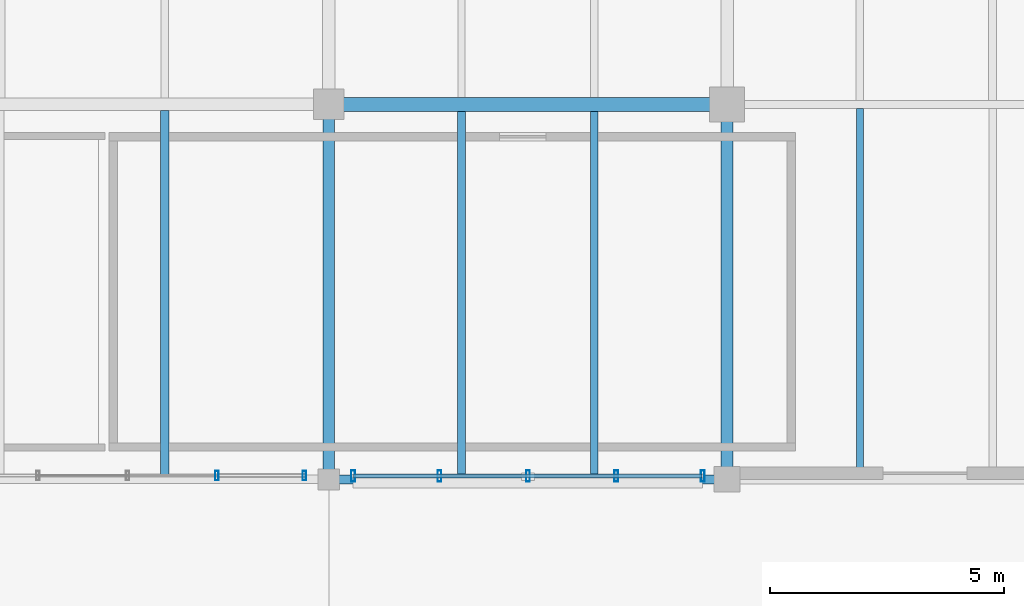
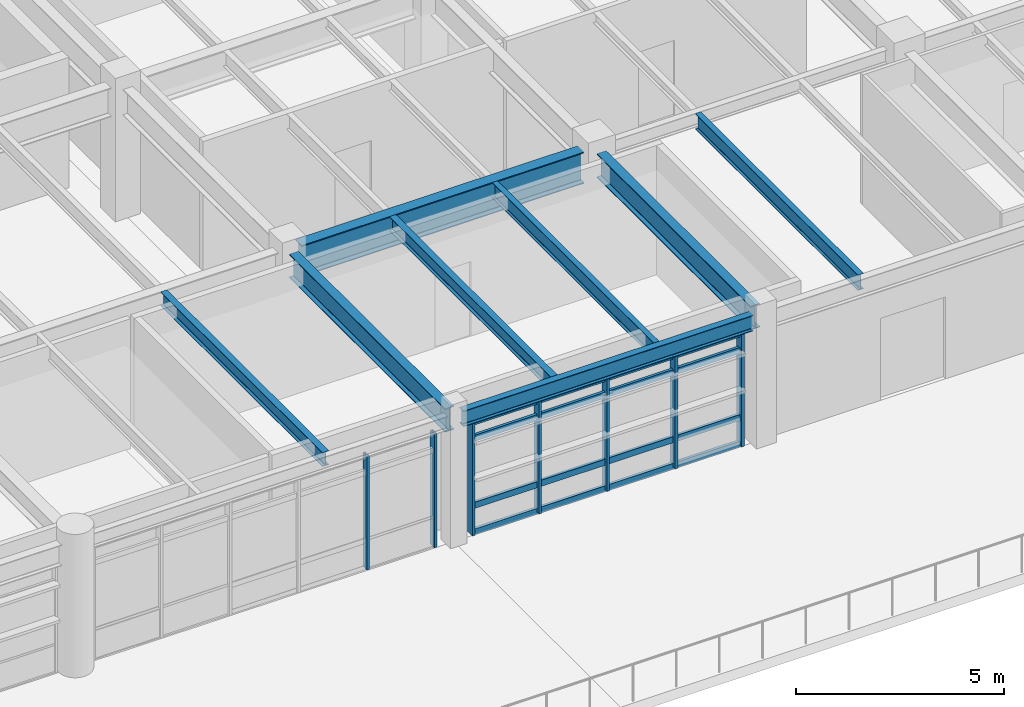
# One storey, part 32 of 56: 11 members, 8 beams, 2 elements without a shape of their own.
"""IFC4 building model written with IfcOpenShell, lengths in metres."""

from ifc_helpers import new_model, si_unit, direction, frame, origin, origin_2d, place, context, subcontext, project, spatial, hollow_rectangle, i_section, extrude, material, material_profile, profile_set, type_object, element, aggregate, save


model = new_model("IFC4")

# Units and contexts
model_context = context("Model", 3, precision=1e-05, world=origin(), true_north=direction((0.0, 1.0)))
body_context = subcontext(model_context, "Body", "Model", "MODEL_VIEW")
ifc_project = project(units=[si_unit("LENGTHUNIT", "METRE"), si_unit("AREAUNIT", "SQUARE_METRE"), si_unit("VOLUMEUNIT", "CUBIC_METRE"), si_unit("PLANEANGLEUNIT", "RADIAN"), si_unit("MASSUNIT", "GRAM", prefix="KILO"), si_unit("THERMODYNAMICTEMPERATUREUNIT", "KELVIN"), si_unit("POWERUNIT", "WATT")], contexts=[model_context])

# Site, building, storey
site_placement = place(None, origin())
site = spatial("IfcSite", under=ifc_project, at=site_placement, CompositionType="ELEMENT")
building_placement = place(site_placement, origin())
building = spatial("IfcBuilding", under=site, at=building_placement, Name="Tepalcoro Natatorium and Aquatics Centre", CompositionType="ELEMENT")
storey_placement = place(building_placement, frame((0.0, 0.0, 14.800048828125)))
storey = spatial("IfcBuildingStorey", under=building, at=storey_placement, Name="L03", CompositionType="ELEMENT", Elevation=14.800048828125)

# Beams
ifc_material_1 = material(Name="Steel ASTM A992 Grade 50 (Fy 345 MPa)", Category="steel")
ifc_material_profile_1 = material_profile(ifc_material_1, i_section(OverallWidth=0.25390625, OverallDepth=0.68798828125, WebThickness=0.012939453125, FlangeThickness=0.02099609375, FilletRadius=0.013916015625, at=origin_2d()), Name="W27X102")
ifc_profile_set_1 = profile_set([ifc_material_profile_1], Name="Steel ASTM A992 Grade 50 (Fy 345 MPa)")
beam_type_1 = type_object("IfcBeamType", Name="BM_W27x102", PredefinedType="BEAM", material=ifc_profile_set_1)
beam_1_placement = place(storey_placement, frame((142.0, 94.2099609375, 3.4609375), z_axis=(0.0, 1.0, 0.0), x_axis=(-1.0, 0.0, 0.0)))
element("IfcBeam", 1, at=beam_1_placement, inside=storey, type_object=beam_type_1, Name="V5 L03 Grid Girder Y", PredefinedType="BEAM", context=body_context, shape_type="SweptSolid", body=[
    extrude(i_section(OverallWidth=0.25390625, OverallDepth=0.68798828125, WebThickness=0.012939453125, FlangeThickness=0.02099609375, FilletRadius=0.013916015625, at=origin_2d()), origin(), (0.0, 0.0, 1.0), 7.47998046875),
])
ifc_material_profile_2 = material_profile(ifc_material_1, i_section(OverallWidth=0.25390625, OverallDepth=0.700927734375, WebThickness=0.014892578125, FlangeThickness=0.028076171875, FilletRadius=0.013916015625, at=origin_2d()), Name="W27X129")
ifc_profile_set_2 = profile_set([ifc_material_profile_2], Name="Steel ASTM A992 Grade 50 (Fy 345 MPa)")
beam_type_2 = type_object("IfcBeamType", Name="BM_W27x129", PredefinedType="BEAM", material=ifc_profile_set_2)
beam_2_placement = place(storey_placement, frame((150.5, 94.260009765625, 3.454345703125), z_axis=(0.0, 1.0, 0.0), x_axis=(-1.0, 0.0, 0.0)))
element("IfcBeam", 2, at=beam_2_placement, inside=storey, type_object=beam_type_2, Name="V5 L03 Grid Girder Y", PredefinedType="BEAM", context=body_context, shape_type="SweptSolid", body=[
    extrude(i_section(OverallWidth=0.25390625, OverallDepth=0.700927734375, WebThickness=0.014892578125, FlangeThickness=0.028076171875, FilletRadius=0.013916015625, at=origin_2d()), origin(), (0.0, 0.0, 1.0), 7.3798828125),
])
ifc_material_profile_3 = material_profile(ifc_material_1, i_section(OverallWidth=0.304931640625, OverallDepth=0.9189453125, WebThickness=0.01708984375, FlangeThickness=0.028076171875, FilletRadius=0.013916015625, at=origin_2d()), Name="W36X170")
ifc_profile_set_3 = profile_set([ifc_material_profile_3], Name="Steel ASTM A992 Grade 50 (Fy 345 MPa)")
beam_type_3 = type_object("IfcBeamType", Name="BM_W36x170", PredefinedType="BEAM", material=ifc_profile_set_3)
beam_3_placement = place(storey_placement, frame((142.31005859375, 102.0, 3.345458984375), z_axis=(1.0, 0.0, 0.0), x_axis=(0.0, 1.0, 0.0)))
element("IfcBeam", 3, at=beam_3_placement, inside=storey, type_object=beam_type_3, Name="V5 L03 Grid Girder X", PredefinedType="BEAM", context=body_context, shape_type="SweptSolid", body=[
    extrude(i_section(OverallWidth=0.304931640625, OverallDepth=0.9189453125, WebThickness=0.01708984375, FlangeThickness=0.028076171875, FilletRadius=0.013916015625, at=origin_2d()), origin(), (0.0, 0.0, 1.0), 7.829833984375),
])

# Curtain wall, members
ifc_material_2 = material(Name="Bronze-Anodised Extruded Aluminium Alloy EN AW-6063 T6", Category="aluminium")
curtain_wall_type_1 = type_object("IfcCurtainWallType", Name="CW_V5_LOWER", PredefinedType="USERDEFINED", material=ifc_material_2)
curtain_wall_1_placement = place(storey_placement, origin())
curtain_wall_1 = element("IfcCurtainWall", 4, at=curtain_wall_1_placement, inside=storey, type_object=curtain_wall_type_1, Name="V5 L03 S Unitised Curtain Wall Bay 4", ObjectType="UNITISED STOREFRONT", PredefinedType="USERDEFINED")
ifc_material_profile_4 = material_profile(ifc_material_2, hollow_rectangle(XDim=0.070068359375, YDim=0.199951171875, WallThickness=0.0048828125, at=origin_2d()), Name="AL70X200X5")
ifc_profile_set_4 = profile_set([ifc_material_profile_4], Name="Bronze-Anodised Extruded Aluminium Alloy EN AW-6063 T6")
member_type_1 = type_object("IfcMemberType", Name="CW_MUL_70x200", PredefinedType="MULLION", material=ifc_profile_set_4)
member_1_placement = place(storey_placement, frame((139.612060546875, 94.080078125, 0.02001953125), z_axis=(0.0, 0.0, 1.0), x_axis=(1.0, 0.0, 0.0)))
member_1 = element("IfcMember", 5, at=member_1_placement, type_object=member_type_1, Name="CW_V5_LOWER Curtain Wall Mullion", PredefinedType="MULLION", context=body_context, shape_type="SweptSolid", body=[
    extrude(hollow_rectangle(XDim=0.070068359375, YDim=0.199951171875, WallThickness=0.0048828125, at=origin_2d()), origin(), (0.0, 0.0, 1.0), 3.3369140625),
])
member_2_placement = place(storey_placement, frame((141.47998046875, 94.080078125, 0.02001953125), z_axis=(0.0, 0.0, 1.0), x_axis=(1.0, 0.0, 0.0)))
member_2 = element("IfcMember", 6, at=member_2_placement, type_object=member_type_1, Name="CW_V5_LOWER Curtain Wall Mullion", PredefinedType="MULLION", context=body_context, shape_type="SweptSolid", body=[
    extrude(hollow_rectangle(XDim=0.070068359375, YDim=0.199951171875, WallThickness=0.0048828125, at=origin_2d()), origin(), (0.0, 0.0, 1.0), 3.3369140625),
])
aggregate(curtain_wall_1, [member_1, member_2])

curtain_wall_type_2 = type_object("IfcCurtainWallType", Name="CW_V5_UPPER", PredefinedType="USERDEFINED", material=ifc_material_2)
curtain_wall_2_placement = place(storey_placement, origin())
curtain_wall_2 = element("IfcCurtainWall", 7, at=curtain_wall_2_placement, inside=storey, type_object=curtain_wall_type_2, Name="V5 L03 S Unitised Curtain Wall Bay 5", ObjectType="FACETED SOLAR GLAZING", PredefinedType="USERDEFINED")
ifc_material_profile_5 = material_profile(ifc_material_2, hollow_rectangle(XDim=0.080078125, YDim=0.239990234375, WallThickness=0.0048828125, at=origin_2d()), Name="AL80X240X5")
ifc_profile_set_5 = profile_set([ifc_material_profile_5], Name="Bronze-Anodised Extruded Aluminium Alloy EN AW-6063 T6")
member_type_2 = type_object("IfcMemberType", Name="CW_MUL_80x240", PredefinedType="MULLION", material=ifc_profile_set_5)
member_3_placement = place(storey_placement, frame((142.52001953125, 94.0712890625, 0.02001953125), z_axis=(0.0, 0.0, 1.0), x_axis=(1.0, 0.0, 0.0)))
member_3 = element("IfcMember", 8, at=member_3_placement, type_object=member_type_2, Name="CW_V5_UPPER Curtain Wall Mullion", PredefinedType="MULLION", context=body_context, shape_type="SweptSolid", body=[
    extrude(hollow_rectangle(XDim=0.080078125, YDim=0.239990234375, WallThickness=0.0048828125, at=origin_2d()), origin(), (0.0, 0.0, 1.0), 3.2900390625),
])
member_4_placement = place(storey_placement, frame((144.364990234375, 94.0712890625, 0.02001953125), z_axis=(0.0, 0.0, 1.0), x_axis=(1.0, 0.0, 0.0)))
member_4 = element("IfcMember", 9, at=member_4_placement, type_object=member_type_2, Name="CW_V5_UPPER Curtain Wall Mullion", PredefinedType="MULLION", context=body_context, shape_type="SweptSolid", body=[
    extrude(hollow_rectangle(XDim=0.080078125, YDim=0.239990234375, WallThickness=0.0048828125, at=origin_2d()), origin(), (0.0, 0.0, 1.0), 3.2900390625),
])
member_5_placement = place(storey_placement, frame((146.25, 94.0712890625, 0.02001953125), z_axis=(0.0, 0.0, 1.0), x_axis=(1.0, 0.0, 0.0)))
member_5 = element("IfcMember", 10, at=member_5_placement, type_object=member_type_2, Name="CW_V5_UPPER Curtain Wall Mullion", PredefinedType="MULLION", context=body_context, shape_type="SweptSolid", body=[
    extrude(hollow_rectangle(XDim=0.080078125, YDim=0.239990234375, WallThickness=0.0048828125, at=origin_2d()), origin(), (0.0, 0.0, 1.0), 3.2900390625),
])
member_6_placement = place(storey_placement, frame((148.135009765625, 94.0712890625, 0.02001953125), z_axis=(0.0, 0.0, 1.0), x_axis=(1.0, 0.0, 0.0)))
member_6 = element("IfcMember", 11, at=member_6_placement, type_object=member_type_2, Name="CW_V5_UPPER Curtain Wall Mullion", PredefinedType="MULLION", context=body_context, shape_type="SweptSolid", body=[
    extrude(hollow_rectangle(XDim=0.080078125, YDim=0.239990234375, WallThickness=0.0048828125, at=origin_2d()), origin(), (0.0, 0.0, 1.0), 3.2900390625),
])
member_7_placement = place(storey_placement, frame((149.97998046875, 94.0712890625, 0.02001953125), z_axis=(0.0, 0.0, 1.0), x_axis=(1.0, 0.0, 0.0)))
member_7 = element("IfcMember", 12, at=member_7_placement, type_object=member_type_2, Name="CW_V5_UPPER Curtain Wall Mullion", PredefinedType="MULLION", context=body_context, shape_type="SweptSolid", body=[
    extrude(hollow_rectangle(XDim=0.080078125, YDim=0.239990234375, WallThickness=0.0048828125, at=origin_2d()), origin(), (0.0, 0.0, 1.0), 3.2900390625),
])
ifc_material_profile_6 = material_profile(ifc_material_2, hollow_rectangle(XDim=0.080078125, YDim=0.179931640625, WallThickness=0.0048828125, at=origin_2d()), Name="AL80X180X5")
ifc_profile_set_6 = profile_set([ifc_material_profile_6], Name="Bronze-Anodised Extruded Aluminium Alloy EN AW-6063 T6")
member_type_3 = type_object("IfcMemberType", Name="CW_TRN_80x180", PredefinedType="USERDEFINED", material=ifc_profile_set_6)
member_8_placement = place(storey_placement, frame((142.530029296875, 94.0712890625, 0.050048828125), z_axis=(1.0, 0.0, 0.0), x_axis=(0.0, 1.0, 0.0)))
member_8 = element("IfcMember", 13, at=member_8_placement, type_object=member_type_3, Name="CW_V5_UPPER Curtain Wall Transom", ObjectType="TRANSOM", PredefinedType="USERDEFINED", context=body_context, shape_type="SweptSolid", body=[
    extrude(hollow_rectangle(XDim=0.080078125, YDim=0.179931640625, WallThickness=0.0048828125, at=origin_2d()), origin(), (0.0, 0.0, 1.0), 7.43994140625),
])
member_9_placement = place(storey_placement, frame((142.530029296875, 94.0712890625, 0.83251953125), z_axis=(1.0, 0.0, 0.0), x_axis=(0.0, 1.0, 0.0)))
member_9 = element("IfcMember", 14, at=member_9_placement, type_object=member_type_3, Name="CW_V5_UPPER Curtain Wall Transom", ObjectType="TRANSOM", PredefinedType="USERDEFINED", context=body_context, shape_type="SweptSolid", body=[
    extrude(hollow_rectangle(XDim=0.080078125, YDim=0.179931640625, WallThickness=0.0048828125, at=origin_2d()), origin(), (0.0, 0.0, 1.0), 7.43994140625),
])
member_10_placement = place(storey_placement, frame((142.530029296875, 94.0712890625, 2.797119140625), z_axis=(1.0, 0.0, 0.0), x_axis=(0.0, 1.0, 0.0)))
member_10 = element("IfcMember", 15, at=member_10_placement, type_object=member_type_3, Name="CW_V5_UPPER Curtain Wall Transom", ObjectType="TRANSOM", PredefinedType="USERDEFINED", context=body_context, shape_type="SweptSolid", body=[
    extrude(hollow_rectangle(XDim=0.080078125, YDim=0.179931640625, WallThickness=0.0048828125, at=origin_2d()), origin(), (0.0, 0.0, 1.0), 7.43994140625),
])
member_11_placement = place(storey_placement, frame((142.530029296875, 94.0712890625, 3.280029296875), z_axis=(1.0, 0.0, 0.0), x_axis=(0.0, 1.0, 0.0)))
member_11 = element("IfcMember", 16, at=member_11_placement, type_object=member_type_3, Name="CW_V5_UPPER Curtain Wall Transom", ObjectType="TRANSOM", PredefinedType="USERDEFINED", context=body_context, shape_type="SweptSolid", body=[
    extrude(hollow_rectangle(XDim=0.080078125, YDim=0.179931640625, WallThickness=0.0048828125, at=origin_2d()), origin(), (0.0, 0.0, 1.0), 7.43994140625),
])
aggregate(curtain_wall_2, [member_3, member_4, member_5, member_6, member_7, member_8, member_9, member_10, member_11])

# Beams
ifc_material_profile_7 = material_profile(ifc_material_1, i_section(OverallWidth=0.178955078125, OverallDepth=0.409912109375, WebThickness=0.009033203125, FlangeThickness=0.013916015625, FilletRadius=0.013916015625, at=origin_2d()), Name="W16X45")
ifc_profile_set_7 = profile_set([ifc_material_profile_7], Name="Steel ASTM A992 Grade 50 (Fy 345 MPa)")
beam_type_4 = type_object("IfcBeamType", Name="JS_W16x45", PredefinedType="JOIST", material=ifc_profile_set_7)
beam_4_placement = place(storey_placement, frame((138.5, 94.090087890625, 3.599853515625), z_axis=(0.0, 1.0, 0.0), x_axis=(-1.0, 0.0, 0.0)))
element("IfcBeam", 17, at=beam_4_placement, inside=storey, type_object=beam_type_4, Name="V5 L03 Floor Joist", PredefinedType="JOIST", context=body_context, shape_type="SweptSolid", body=[
    extrude(i_section(OverallWidth=0.178955078125, OverallDepth=0.409912109375, WebThickness=0.009033203125, FlangeThickness=0.013916015625, FilletRadius=0.013916015625, at=origin_2d()), origin(), (0.0, 0.0, 1.0), 7.7763671875),
])
beam_5_placement = place(storey_placement, frame((144.833251953125, 94.095458984375, 3.599853515625), z_axis=(0.0, 1.0, 0.0), x_axis=(-1.0, 0.0, 0.0)))
element("IfcBeam", 18, at=beam_5_placement, inside=storey, type_object=beam_type_4, Name="V5 L03 Floor Joist", PredefinedType="JOIST", context=body_context, shape_type="SweptSolid", body=[
    extrude(i_section(OverallWidth=0.178955078125, OverallDepth=0.409912109375, WebThickness=0.009033203125, FlangeThickness=0.013916015625, FilletRadius=0.013916015625, at=origin_2d()), origin(), (0.0, 0.0, 1.0), 7.751953125),
])
ifc_material_profile_8 = material_profile(ifc_material_1, i_section(OverallWidth=0.153076171875, OverallDepth=0.455078125, WebThickness=0.008056640625, FlangeThickness=0.012939453125, FilletRadius=0.013916015625, at=origin_2d()), Name="W18X40")
ifc_profile_set_8 = profile_set([ifc_material_profile_8], Name="Steel ASTM A992 Grade 50 (Fy 345 MPa)")
beam_type_5 = type_object("IfcBeamType", Name="JS_W18x40", PredefinedType="JOIST", material=ifc_profile_set_8)
beam_6_placement = place(storey_placement, frame((147.666748046875, 94.095458984375, 3.577392578125), z_axis=(0.0, 1.0, 0.0), x_axis=(-1.0, 0.0, 0.0)))
element("IfcBeam", 19, at=beam_6_placement, inside=storey, type_object=beam_type_5, Name="V5 L03 Floor Joist", PredefinedType="JOIST", context=body_context, shape_type="SweptSolid", body=[
    extrude(i_section(OverallWidth=0.153076171875, OverallDepth=0.455078125, WebThickness=0.008056640625, FlangeThickness=0.012939453125, FilletRadius=0.013916015625, at=origin_2d()), origin(), (0.0, 0.0, 1.0), 7.751953125),
])
beam_7_placement = place(storey_placement, frame((153.333251953125, 94.10498046875, 3.577392578125), z_axis=(0.0, 1.0, 0.0), x_axis=(-1.0, 0.0, 0.0)))
element("IfcBeam", 20, at=beam_7_placement, inside=storey, type_object=beam_type_5, Name="V5 L03 Floor Joist", PredefinedType="JOIST", context=body_context, shape_type="SweptSolid", body=[
    extrude(i_section(OverallWidth=0.153076171875, OverallDepth=0.455078125, WebThickness=0.008056640625, FlangeThickness=0.012939453125, FilletRadius=0.013916015625, at=origin_2d()), origin(), (0.0, 0.0, 1.0), 7.805908203125),
])
ifc_material_profile_9 = material_profile(ifc_material_1, i_section(OverallWidth=0.19091796875, OverallDepth=0.4599609375, WebThickness=0.010009765625, FlangeThickness=0.01611328125, FilletRadius=0.013916015625, at=origin_2d()), Name="W18X55")
ifc_profile_set_9 = profile_set([ifc_material_profile_9], Name="Steel ASTM A992 Grade 50 (Fy 345 MPa)")
beam_type_6 = type_object("IfcBeamType", Name="SP_W18x55", PredefinedType="SPANDREL", material=ifc_profile_set_9)
beam_8_placement = place(storey_placement, frame((142.2099609375, 94.0, 3.574951171875), z_axis=(1.0, 0.0, 0.0), x_axis=(0.0, 1.0, 0.0)))
element("IfcBeam", 21, at=beam_8_placement, inside=storey, type_object=beam_type_6, Name="V5 L03 Grid Girder X", PredefinedType="SPANDREL", context=body_context, shape_type="SweptSolid", body=[
    extrude(i_section(OverallWidth=0.19091796875, OverallDepth=0.4599609375, WebThickness=0.010009765625, FlangeThickness=0.01611328125, FilletRadius=0.013916015625, at=origin_2d()), origin(), (0.0, 0.0, 1.0), 8.030029296875),
])

save(model, "model.ifc")
